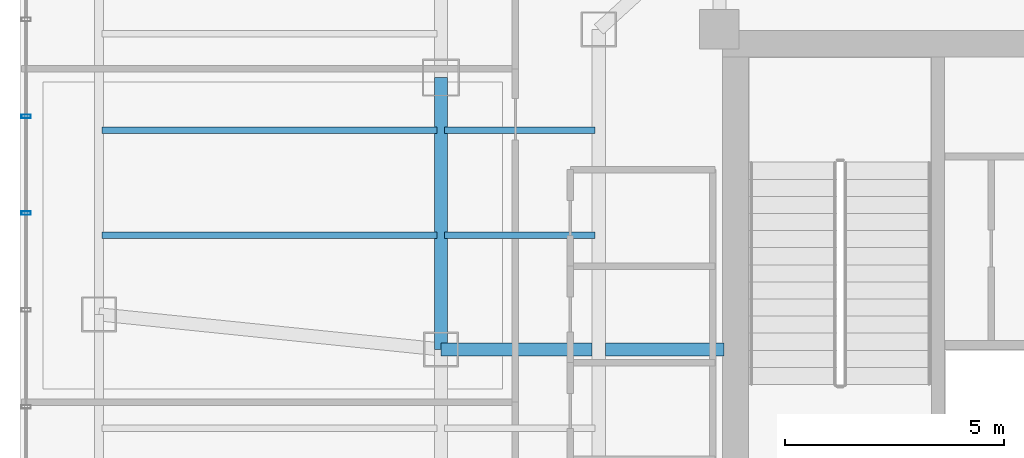
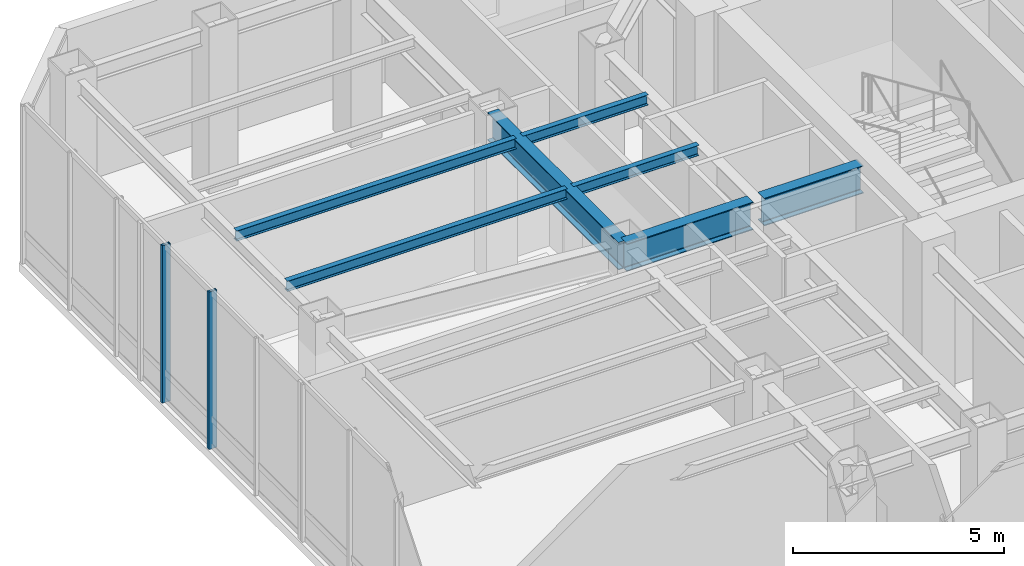
# One storey, part 17 of 30: 7 beams, 2 members, 1 element without a shape of its own.
"""IFC4 building model written with IfcOpenShell, lengths in metres."""

from ifc_helpers import new_model, si_unit, direction, frame, origin, origin_2d, place, context, subcontext, project, spatial, hollow_rectangle, i_section, extrude, material, layer, layer_set, material_profile, profile_set, type_object, element, aggregate, save


model = new_model("IFC4")

# Units and contexts
model_context = context("Model", 3, precision=1e-05, world=origin(), true_north=direction((0.0, 1.0)))
body_context = subcontext(model_context, "Body", "Model", "MODEL_VIEW")
ifc_project = project(units=[si_unit("LENGTHUNIT", "METRE"), si_unit("AREAUNIT", "SQUARE_METRE"), si_unit("VOLUMEUNIT", "CUBIC_METRE"), si_unit("PLANEANGLEUNIT", "RADIAN"), si_unit("MASSUNIT", "GRAM", prefix="KILO")], contexts=[model_context])

# Site, building, storey
site_placement = place(None, origin())
site = spatial("IfcSite", under=ifc_project, at=site_placement, CompositionType="ELEMENT")
building_placement = place(site_placement, origin())
building = spatial("IfcBuilding", under=site, at=building_placement, Name="Hatsunagi Terrace Concourse", CompositionType="ELEMENT")
storey_placement = place(building_placement, frame((0.0, 0.0, 130.050048828125)))
storey = spatial("IfcBuildingStorey", under=building, at=storey_placement, Name="L34", CompositionType="ELEMENT", Elevation=130.050048828125)

# Curtain wall, members
ifc_material_1 = material(Name="Anodised Aluminium Alloy 6063-T5", Category="aluminium")
ifc_layer = layer(ifc_material_1, 0.199951171875)
ifc_layer_set = layer_set([ifc_layer], Name="SkyLobbyAtrium_CW05")
curtain_wall_type = type_object("IfcCurtainWallType", Name="SkyLobbyAtrium_CW05", PredefinedType="NOTDEFINED", material=ifc_layer_set)
curtain_wall_placement = place(storey_placement, origin())
curtain_wall = element("IfcCurtainWall", 1, at=curtain_wall_placement, inside=storey, type_object=curtain_wall_type, Name="Unitised Curtain Wall CW-05 CW-L34-09", PredefinedType="NOTDEFINED")
ifc_material_2 = material(Name="Anodised Aluminium Alloy 6063-T5", Category="aluminium")
ifc_material_profile_1 = material_profile(ifc_material_2, hollow_rectangle(XDim=0.080078125, YDim=0.219970703125, WallThickness=0.0048828125, at=origin_2d()), Name="ALU-MUL-220x80x5")
ifc_profile_set_1 = profile_set([ifc_material_profile_1], Name="Anodised Aluminium Alloy 6063-T5")
member_type = type_object("IfcMemberType", Name="CurtainWallMullion_Heavy_220x80", PredefinedType="MULLION", material=ifc_profile_set_1)
member_1_placement = place(storey_placement, frame((9.739990234375, 39.10791015625, 0.0), z_axis=(0.0, 0.0, 1.0), x_axis=(0.0, 1.0, 0.0)))
member_1 = element("IfcMember", 2, at=member_1_placement, type_object=member_type, Name="Curtain Wall Mullion MUL-01", PredefinedType="MULLION", context=body_context, shape_type="SweptSolid", body=[
    extrude(hollow_rectangle(XDim=0.080078125, YDim=0.219970703125, WallThickness=0.0048828125, at=origin_2d()), origin(), (0.0, 0.0, 1.0), 4.550048828125),
])
member_2_placement = place(storey_placement, frame((9.739990234375, 41.31689453125, 0.0), z_axis=(0.0, 0.0, 1.0), x_axis=(0.0, 1.0, 0.0)))
member_2 = element("IfcMember", 3, at=member_2_placement, type_object=member_type, Name="Curtain Wall Mullion MUL-01", PredefinedType="MULLION", context=body_context, shape_type="SweptSolid", body=[
    extrude(hollow_rectangle(XDim=0.080078125, YDim=0.219970703125, WallThickness=0.0048828125, at=origin_2d()), origin(), (0.0, 0.0, 1.0), 4.550048828125),
])
aggregate(curtain_wall, [member_1, member_2])

# Beams
ifc_material_3 = material(Name="Steel SN490B", Category="steel")
ifc_material_profile_2 = material_profile(ifc_material_3, i_section(OverallWidth=0.14990234375, OverallDepth=0.300048828125, WebThickness=0.006591796875, FlangeThickness=0.009033203125, FilletRadius=0.010986328125, at=origin_2d()), Name="H-300x150x6.5x9")
ifc_profile_set_2 = profile_set([ifc_material_profile_2], Name="Steel SN490B")
beam_type_1 = type_object("IfcBeamType", Name="OfficeJoist_H_300x150", PredefinedType="JOIST", material=ifc_profile_set_2)
beam_1_placement = place(storey_placement, frame((11.465087890625, 38.60009765625, 4.39990234375), z_axis=(1.0, 0.0, 0.0), x_axis=(0.0, 1.0, 0.0)))
element("IfcBeam", 4, at=beam_1_placement, inside=storey, type_object=beam_type_1, Name="Beam J-03 J-L34-W-11-386", PredefinedType="JOIST", context=body_context, shape_type="SweptSolid", body=[
    extrude(i_section(OverallWidth=0.14990234375, OverallDepth=0.300048828125, WebThickness=0.006591796875, FlangeThickness=0.009033203125, FilletRadius=0.010986328125, at=origin_2d()), origin(), (0.0, 0.0, 1.0), 7.64990234375),
])
beam_2_placement = place(storey_placement, frame((19.284912109375, 38.60009765625, 4.39990234375), z_axis=(1.0, 0.0, 0.0), x_axis=(0.0, 1.0, 0.0)))
element("IfcBeam", 5, at=beam_2_placement, inside=storey, type_object=beam_type_1, Name="Beam J-03 J-L34-W-19-386", PredefinedType="JOIST", context=body_context, shape_type="SweptSolid", body=[
    extrude(i_section(OverallWidth=0.14990234375, OverallDepth=0.300048828125, WebThickness=0.006591796875, FlangeThickness=0.009033203125, FilletRadius=0.010986328125, at=origin_2d()), origin(), (0.0, 0.0, 1.0), 3.43017578125),
])
beam_3_placement = place(storey_placement, frame((11.465087890625, 41.0, 4.39990234375), z_axis=(1.0, 0.0, 0.0), x_axis=(0.0, 1.0, 0.0)))
element("IfcBeam", 6, at=beam_3_placement, inside=storey, type_object=beam_type_1, Name="Beam J-03 J-L34-W-11-410", PredefinedType="JOIST", context=body_context, shape_type="SweptSolid", body=[
    extrude(i_section(OverallWidth=0.14990234375, OverallDepth=0.300048828125, WebThickness=0.006591796875, FlangeThickness=0.009033203125, FilletRadius=0.010986328125, at=origin_2d()), origin(), (0.0, 0.0, 1.0), 7.64990234375),
])
beam_4_placement = place(storey_placement, frame((19.284912109375, 41.0, 4.39990234375), z_axis=(1.0, 0.0, 0.0), x_axis=(0.0, 1.0, 0.0)))
element("IfcBeam", 7, at=beam_4_placement, inside=storey, type_object=beam_type_1, Name="Beam J-03 J-L34-W-19-410", PredefinedType="JOIST", context=body_context, shape_type="SweptSolid", body=[
    extrude(i_section(OverallWidth=0.14990234375, OverallDepth=0.300048828125, WebThickness=0.006591796875, FlangeThickness=0.009033203125, FilletRadius=0.010986328125, at=origin_2d()), origin(), (0.0, 0.0, 1.0), 3.43017578125),
])
ifc_material_4 = material(Name="Steel SN490B", Category="steel")
ifc_material_profile_3 = material_profile(ifc_material_4, i_section(OverallWidth=0.300048828125, OverallDepth=0.800048828125, WebThickness=0.013916015625, FlangeThickness=0.02587890625, FilletRadius=0.02197265625, at=origin_2d()), Name="H-800x300x14x26")
ifc_profile_set_3 = profile_set([ifc_material_profile_3], Name="Steel SN490B")
beam_type_2 = type_object("IfcBeamType", Name="SkyLobbyGirder_H_800x300", PredefinedType="BEAM", material=ifc_profile_set_3)
beam_5_placement = place(storey_placement, frame((19.199951171875, 36.0, 4.14990234375), z_axis=(0.0, 1.0, 0.0), x_axis=(-1.0, 0.0, 0.0)))
element("IfcBeam", 8, at=beam_5_placement, inside=storey, type_object=beam_type_2, Name="Beam G-03 BM-L34-NS-19-36", PredefinedType="BEAM", context=body_context, shape_type="SweptSolid", body=[
    extrude(i_section(OverallWidth=0.300048828125, OverallDepth=0.800048828125, WebThickness=0.013916015625, FlangeThickness=0.02587890625, FilletRadius=0.02197265625, at=origin_2d()), origin(), (0.0, 0.0, 1.0), 6.199951171875),
])
beam_6_placement = place(storey_placement, frame((19.199951171875, 36.0, 4.14990234375), z_axis=(1.0, 0.0, 0.0), x_axis=(0.0, 1.0, 0.0)))
element("IfcBeam", 9, at=beam_6_placement, inside=storey, type_object=beam_type_2, Name="Beam G-03 BM-L34-EW-3", PredefinedType="BEAM", context=body_context, shape_type="SweptSolid", body=[
    extrude(i_section(OverallWidth=0.300048828125, OverallDepth=0.800048828125, WebThickness=0.013916015625, FlangeThickness=0.02587890625, FilletRadius=0.02197265625, at=origin_2d()), origin(), (0.0, 0.0, 1.0), 3.449951171875),
])
beam_7_placement = place(storey_placement, frame((22.949951171875, 36.0, 4.14990234375), z_axis=(1.0, 0.0, 0.0), x_axis=(0.0, 1.0, 0.0)))
element("IfcBeam", 10, at=beam_7_placement, inside=storey, type_object=beam_type_2, Name="Beam G-03 BM-L34-EW-4", PredefinedType="BEAM", context=body_context, shape_type="SweptSolid", body=[
    extrude(i_section(OverallWidth=0.300048828125, OverallDepth=0.800048828125, WebThickness=0.013916015625, FlangeThickness=0.02587890625, FilletRadius=0.02197265625, at=origin_2d()), origin(), (0.0, 0.0, 1.0), 2.7099609375),
])

save(model, "model.ifc")
